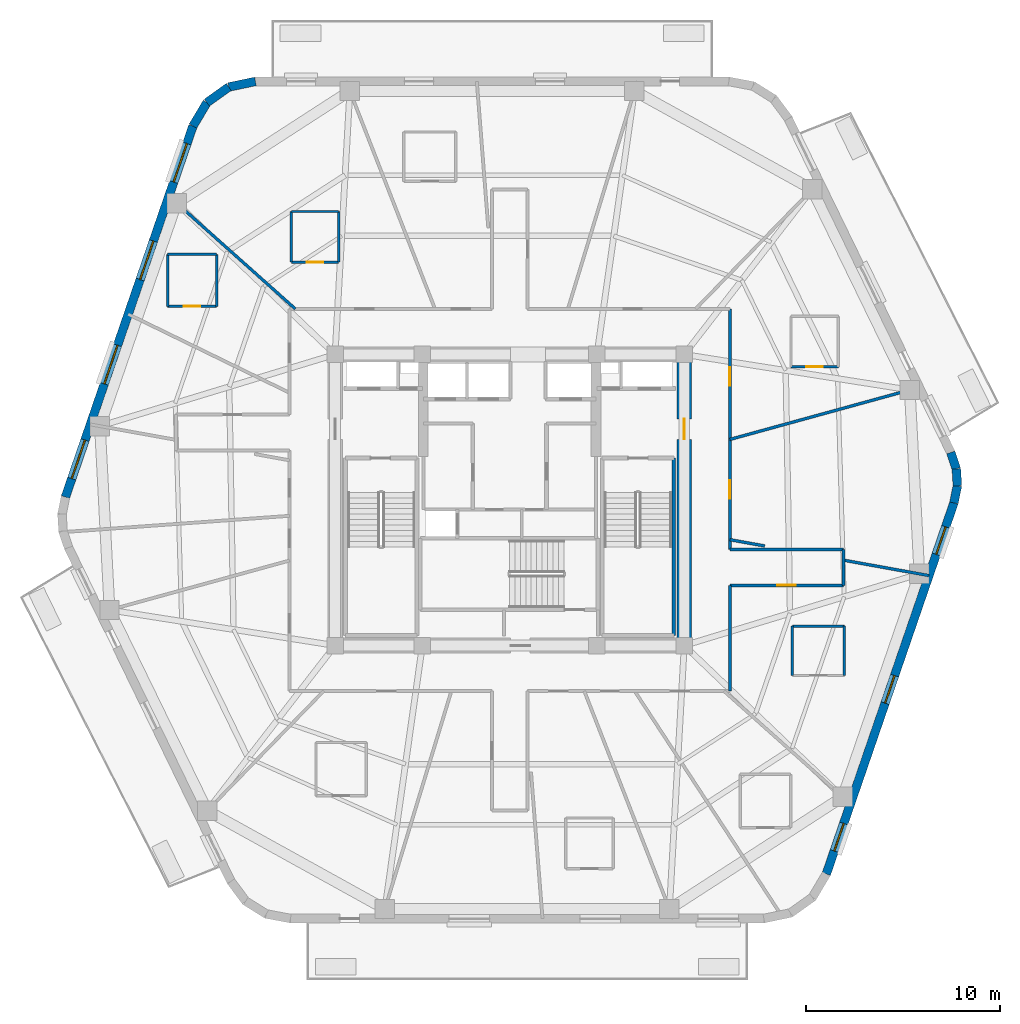
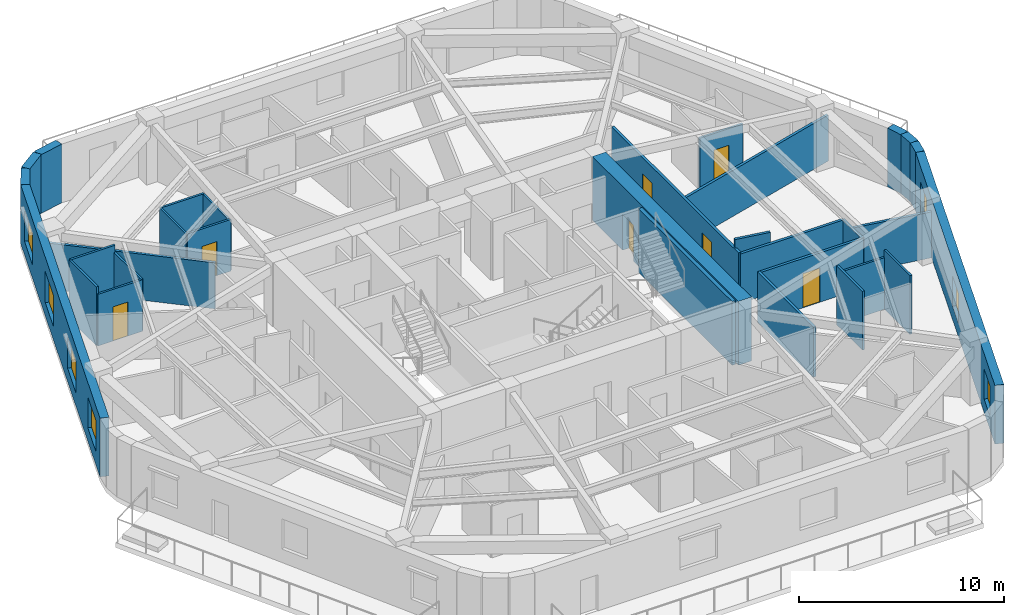
# One storey, part 5 of 10: 31 walls, 7 doors, 7 windows, 14 openings.
"""IFC4 building model written with IfcOpenShell, lengths in metres."""

from ifc_helpers import new_model, si_unit, direction, frame, frame_2d, origin, place, context, subcontext, project, spatial, rectangle, extrude, material, layer, layer_set, type_object, element, fill, save


model = new_model("IFC4")

# Units and contexts
model_context = context("Model", 3, precision=1e-05, world=origin(), true_north=direction((0.0, 1.0)))
body_context = subcontext(model_context, "Body", "Model", "MODEL_VIEW")
ifc_project = project(units=[si_unit("LENGTHUNIT", "METRE"), si_unit("AREAUNIT", "SQUARE_METRE"), si_unit("VOLUMEUNIT", "CUBIC_METRE"), si_unit("PLANEANGLEUNIT", "RADIAN"), si_unit("MASSUNIT", "GRAM", prefix="KILO")], contexts=[model_context])

# Site, building, storey
site_placement = place(None, origin())
site = spatial("IfcSite", under=ifc_project, at=site_placement, CompositionType="ELEMENT")
building_placement = place(site_placement, origin())
building = spatial("IfcBuilding", under=site, at=building_placement, Name="Kilnhurst Terrace Hotel", CompositionType="ELEMENT")
storey_placement = place(building_placement, frame((0.0, 0.0, 210.300048828125)))
storey = spatial("IfcBuildingStorey", under=building, at=storey_placement, Name="L52", CompositionType="ELEMENT", Elevation=210.300048828125)

# Walls
ifc_material_1 = material(Name="Precast concrete C40/50", Category="concrete")
ifc_layer_1 = layer(ifc_material_1, 0.449951171875, Name="Precast concrete C40/50")
ifc_layer_set_1 = layer_set([ifc_layer_1], Name="Precast concrete C40/50")
wall_type_1 = type_object("IfcWallType", Name="WL-BRK-450", PredefinedType="SOLIDWALL", material=ifc_layer_set_1)
wall_1_placement = place(storey_placement, frame((22.8984375, -0.149658203125, 0.0), z_axis=(0.0, 0.0, 1.0), x_axis=(0.199055826889, 0.979988151858, 0.0)))
element("IfcWall", 1, at=wall_1_placement, inside=storey, type_object=wall_type_1, Name="L52 Rounded Corner Brick Wall C3.1", PredefinedType="SOLIDWALL", context=body_context, shape_type="SweptSolid", body=[
    extrude(rectangle(XDim=0.89404296875, YDim=0.449951171875, at=frame_2d((0.447021484375, 0.0))), origin(), (0.0, 0.0, 1.0), 3.5),
])
wall_2_placement = place(storey_placement, frame((23.076416015625, 0.7265625, 0.0), z_axis=(0.0, 0.0, 1.0), x_axis=(-0.060805222108, 0.998149650586, 0.0)))
element("IfcWall", 2, at=wall_2_placement, inside=storey, type_object=wall_type_1, Name="L52 Rounded Corner Brick Wall C3.2", PredefinedType="SOLIDWALL", context=body_context, shape_type="SweptSolid", body=[
    extrude(rectangle(XDim=0.87939453125, YDim=0.449951171875, at=frame_2d((0.439697265625, 0.0))), origin(), (0.0, 0.0, 1.0), 3.5),
])
wall_3_placement = place(storey_placement, frame((23.02294921875, 1.604248046875, 0.0), z_axis=(0.0, 0.0, 1.0), x_axis=(-0.316801227695, 0.948491951537, 0.0)))
element("IfcWall", 3, at=wall_3_placement, inside=storey, type_object=wall_type_1, Name="L52 Rounded Corner Brick Wall C3.3", PredefinedType="SOLIDWALL", context=body_context, shape_type="SweptSolid", body=[
    extrude(rectangle(XDim=0.89404296875, YDim=0.449951171875, at=frame_2d((0.447021484375, 0.0))), origin(), (0.0, 0.0, 1.0), 3.5),
])
wall_4_placement = place(storey_placement, frame((-13.1015625, 21.574951171875, 0.0), z_axis=(0.0, 0.0, 1.0), x_axis=(-0.978757421505, -0.205021730188, 0.0)))
element("IfcWall", 4, at=wall_4_placement, inside=storey, type_object=wall_type_1, Name="L52 Rounded Corner Brick Wall C5.1", PredefinedType="SOLIDWALL", context=body_context, shape_type="SweptSolid", body=[
    extrude(rectangle(XDim=1.40625, YDim=0.449951171875, at=frame_2d((0.703125, 0.0))), origin(), (0.0, 0.0, 1.0), 3.5),
])
wall_5_placement = place(storey_placement, frame((-14.47802734375, 21.28662109375, 0.0), z_axis=(0.0, 0.0, 1.0), x_axis=(-0.813888518617, -0.58102106611, 0.0)))
element("IfcWall", 5, at=wall_5_placement, inside=storey, type_object=wall_type_1, Name="L52 Rounded Corner Brick Wall C5.2", PredefinedType="SOLIDWALL", context=body_context, shape_type="SweptSolid", body=[
    extrude(rectangle(XDim=1.3828125, YDim=0.449951171875, at=frame_2d((0.69140625, 0.0))), origin(), (0.0, 0.0, 1.0), 3.5),
])
wall_6_placement = place(storey_placement, frame((-15.603515625, 20.483154296875, 0.0), z_axis=(0.0, 0.0, 1.0), x_axis=(-0.512222149036, -0.858852996756, 0.0)))
element("IfcWall", 6, at=wall_6_placement, inside=storey, type_object=wall_type_1, Name="L52 Rounded Corner Brick Wall C5.3", PredefinedType="SOLIDWALL", context=body_context, shape_type="SweptSolid", body=[
    extrude(rectangle(XDim=1.406494140625, YDim=0.449951171875, at=frame_2d((0.703125, 0.0))), origin(), (0.0, 0.0, 1.0), 3.5),
])

# Wall, openings, windows
wall_7_placement = place(storey_placement, frame((16.323974609375, -19.275146484375, 0.0), z_axis=(0.0, 0.0, 1.0), x_axis=(0.325083142304, 0.945685439557, 0.0)))
wall_7 = element("IfcWall", 7, at=wall_7_placement, inside=storey, type_object=wall_type_1, Name="L52 Exterior Brick Facade Wall F2", PredefinedType="SOLIDWALL", context=body_context, shape_type="SweptSolid", body=[
    extrude(rectangle(XDim=20.223876953125, YDim=0.449951171875, at=frame_2d((10.11181640625, 0.0))), origin(), (0.0, 0.0, 1.0), 3.5),
])
opening_1_placement = place(wall_7_placement, frame((1.2529296875, 0.0, 0.800048828125)))
opening_1 = element("IfcOpeningElement", 8, at=opening_1_placement, cuts=wall_7, Name="Opening W-02", PredefinedType="OPENING", context=body_context, shape_type="SweptSolid", body=[
    extrude(rectangle(XDim=1.5, YDim=1.800048828125, at=frame_2d((0.75, 0.89990234375))), frame((0.0, 0.23486328125, 0.0), z_axis=(0.0, -1.0, 0.0), x_axis=(1.0, 0.0, 0.0)), (0.0, 0.0, 1.0), 0.469970703125),
])
opening_2_placement = place(wall_7_placement, frame((9.30908203125, 0.0, 0.800048828125)))
opening_2 = element("IfcOpeningElement", 9, at=opening_2_placement, cuts=wall_7, Name="Opening W-02", PredefinedType="OPENING", context=body_context, shape_type="SweptSolid", body=[
    extrude(rectangle(XDim=1.5, YDim=1.800048828125, at=frame_2d((0.75, 0.89990234375))), frame((0.0, 0.23486328125, 0.0), z_axis=(0.0, -1.0, 0.0), x_axis=(1.0, 0.0, 0.0)), (0.0, 0.0, 1.0), 0.469970703125),
])
opening_3_placement = place(wall_7_placement, frame((17.41796875, 0.0, 0.800048828125)))
opening_3 = element("IfcOpeningElement", 10, at=opening_3_placement, cuts=wall_7, Name="Opening W-02", PredefinedType="OPENING", context=body_context, shape_type="SweptSolid", body=[
    extrude(rectangle(XDim=1.5, YDim=1.800048828125, at=frame_2d((0.75, 0.89990234375))), frame((0.0, 0.23486328125, 0.0), z_axis=(0.0, -1.0, 0.0), x_axis=(1.0, 0.0, 0.0)), (0.0, 0.0, 1.0), 0.469970703125),
])
ifc_material_2 = material(Name="Thermally Broken Bronze Aluminium Alloy 6063-T6 and Low-E Glass", Category="aluminium")
window_type_1 = type_object("IfcWindowType", Name="WIN-1500X1800", PartitioningType="SINGLE_PANEL", PredefinedType="WINDOW", material=ifc_material_2)
window_1_placement = place(opening_1_placement, origin())
window_1 = element("IfcWindow", 11, at=window_1_placement, inside=storey, type_object=window_type_1, Name="L52 Deep-Set Masonry Window F2.1", OverallHeight=1.800048828125, OverallWidth=1.5, PartitioningType="SINGLE_PANEL", PredefinedType="WINDOW", context=body_context, shape_type="SweptSolid", body=[
    extrude(rectangle(XDim=1.5, YDim=1.800048828125, at=frame_2d((0.75, 0.89990234375))), frame((0.0, 0.030029296875, 0.0), z_axis=(0.0, -1.0, 0.0), x_axis=(1.0, 0.0, 0.0)), (0.0, 0.0, 1.0), 0.06005859375),
])
fill(opening_1, window_1)
window_2_placement = place(opening_2_placement, origin())
window_2 = element("IfcWindow", 12, at=window_2_placement, inside=storey, type_object=window_type_1, Name="L52 Deep-Set Masonry Window F2.2", OverallHeight=1.800048828125, OverallWidth=1.5, PartitioningType="SINGLE_PANEL", PredefinedType="WINDOW", context=body_context, shape_type="SweptSolid", body=[
    extrude(rectangle(XDim=1.5, YDim=1.800048828125, at=frame_2d((0.75, 0.89990234375))), frame((0.0, 0.030029296875, 0.0), z_axis=(0.0, -1.0, 0.0), x_axis=(1.0, 0.0, 0.0)), (0.0, 0.0, 1.0), 0.06005859375),
])
fill(opening_2, window_2)
window_3_placement = place(opening_3_placement, origin())
window_3 = element("IfcWindow", 13, at=window_3_placement, inside=storey, type_object=window_type_1, Name="L52 Deep-Set Masonry Window F2.3", OverallHeight=1.800048828125, OverallWidth=1.5, PartitioningType="SINGLE_PANEL", PredefinedType="WINDOW", context=body_context, shape_type="SweptSolid", body=[
    extrude(rectangle(XDim=1.5, YDim=1.800048828125, at=frame_2d((0.75, 0.89990234375))), frame((0.0, 0.030029296875, 0.0), z_axis=(0.0, -1.0, 0.0), x_axis=(1.0, 0.0, 0.0)), (0.0, 0.0, 1.0), 0.06005859375),
])
fill(opening_3, window_3)

wall_8_placement = place(storey_placement, frame((-16.323974609375, 19.275146484375, 0.0), z_axis=(0.0, 0.0, 1.0), x_axis=(-0.325083142304, -0.945685439557, 0.0)))
wall_8 = element("IfcWall", 14, at=wall_8_placement, inside=storey, type_object=wall_type_1, Name="L52 Exterior Brick Facade Wall F5", PredefinedType="SOLIDWALL", context=body_context, shape_type="SweptSolid", body=[
    extrude(rectangle(XDim=20.223876953125, YDim=0.449951171875, at=frame_2d((10.11181640625, 0.0))), origin(), (0.0, 0.0, 1.0), 3.5),
])
opening_4_placement = place(wall_8_placement, frame((0.952880859375, 0.0, 0.800048828125)))
opening_4 = element("IfcOpeningElement", 15, at=opening_4_placement, cuts=wall_8, Name="Opening W-04", PredefinedType="OPENING", context=body_context, shape_type="SweptSolid", body=[
    extrude(rectangle(XDim=2.10009765625, YDim=1.85009765625, at=frame_2d((1.050048828125, 0.925048828125))), frame((0.0, 0.23486328125, 0.0), z_axis=(0.0, -1.0, 0.0), x_axis=(1.0, 0.0, 0.0)), (0.0, 0.0, 1.0), 0.469970703125),
])
opening_5_placement = place(wall_8_placement, frame((6.26806640625, 0.0, 0.800048828125)))
opening_5 = element("IfcOpeningElement", 16, at=opening_5_placement, cuts=wall_8, Name="Opening W-04", PredefinedType="OPENING", context=body_context, shape_type="SweptSolid", body=[
    extrude(rectangle(XDim=2.10009765625, YDim=1.85009765625, at=frame_2d((1.050048828125, 0.925048828125))), frame((0.0, 0.23486328125, 0.0), z_axis=(0.0, -1.0, 0.0), x_axis=(1.0, 0.0, 0.0)), (0.0, 0.0, 1.0), 0.469970703125),
])
opening_6_placement = place(wall_8_placement, frame((11.949951171875, 0.0, 0.800048828125)))
opening_6 = element("IfcOpeningElement", 17, at=opening_6_placement, cuts=wall_8, Name="Opening W-04", PredefinedType="OPENING", context=body_context, shape_type="SweptSolid", body=[
    extrude(rectangle(XDim=2.10009765625, YDim=1.85009765625, at=frame_2d((1.050048828125, 0.925048828125))), frame((0.0, 0.23486328125, 0.0), z_axis=(0.0, -1.0, 0.0), x_axis=(1.0, 0.0, 0.0)), (0.0, 0.0, 1.0), 0.469970703125),
])
opening_7_placement = place(wall_8_placement, frame((17.117919921875, 0.0, 0.800048828125)))
opening_7 = element("IfcOpeningElement", 18, at=opening_7_placement, cuts=wall_8, Name="Opening W-04", PredefinedType="OPENING", context=body_context, shape_type="SweptSolid", body=[
    extrude(rectangle(XDim=2.10009765625, YDim=1.85009765625, at=frame_2d((1.050048828125, 0.925048828125))), frame((0.0, 0.23486328125, 0.0), z_axis=(0.0, -1.0, 0.0), x_axis=(1.0, 0.0, 0.0)), (0.0, 0.0, 1.0), 0.469970703125),
])
window_type_2 = type_object("IfcWindowType", Name="WIN-2100X1850", PartitioningType="SINGLE_PANEL", PredefinedType="WINDOW", material=ifc_material_2)
window_4_placement = place(opening_4_placement, origin())
window_4 = element("IfcWindow", 19, at=window_4_placement, inside=storey, type_object=window_type_2, Name="L52 Deep-Set Masonry Window F5.1", OverallHeight=1.85009765625, OverallWidth=2.10009765625, PartitioningType="SINGLE_PANEL", PredefinedType="WINDOW", context=body_context, shape_type="SweptSolid", body=[
    extrude(rectangle(XDim=2.10009765625, YDim=1.85009765625, at=frame_2d((1.050048828125, 0.925048828125))), frame((0.0, 0.030029296875, 0.0), z_axis=(0.0, -1.0, 0.0), x_axis=(1.0, 0.0, 0.0)), (0.0, 0.0, 1.0), 0.06005859375),
])
fill(opening_4, window_4)
window_5_placement = place(opening_5_placement, origin())
window_5 = element("IfcWindow", 20, at=window_5_placement, inside=storey, type_object=window_type_2, Name="L52 Deep-Set Masonry Window F5.2", OverallHeight=1.85009765625, OverallWidth=2.10009765625, PartitioningType="SINGLE_PANEL", PredefinedType="WINDOW", context=body_context, shape_type="SweptSolid", body=[
    extrude(rectangle(XDim=2.10009765625, YDim=1.85009765625, at=frame_2d((1.050048828125, 0.925048828125))), frame((0.0, 0.030029296875, 0.0), z_axis=(0.0, -1.0, 0.0), x_axis=(1.0, 0.0, 0.0)), (0.0, 0.0, 1.0), 0.06005859375),
])
fill(opening_5, window_5)
window_6_placement = place(opening_6_placement, origin())
window_6 = element("IfcWindow", 21, at=window_6_placement, inside=storey, type_object=window_type_2, Name="L52 Deep-Set Masonry Window F5.3", OverallHeight=1.85009765625, OverallWidth=2.10009765625, PartitioningType="SINGLE_PANEL", PredefinedType="WINDOW", context=body_context, shape_type="SweptSolid", body=[
    extrude(rectangle(XDim=2.10009765625, YDim=1.85009765625, at=frame_2d((1.050048828125, 0.925048828125))), frame((0.0, 0.030029296875, 0.0), z_axis=(0.0, -1.0, 0.0), x_axis=(1.0, 0.0, 0.0)), (0.0, 0.0, 1.0), 0.06005859375),
])
fill(opening_6, window_6)
window_7_placement = place(opening_7_placement, origin())
window_7 = element("IfcWindow", 22, at=window_7_placement, inside=storey, type_object=window_type_2, Name="L52 Deep-Set Masonry Window F5.4", OverallHeight=1.85009765625, OverallWidth=2.10009765625, PartitioningType="SINGLE_PANEL", PredefinedType="WINDOW", context=body_context, shape_type="SweptSolid", body=[
    extrude(rectangle(XDim=2.10009765625, YDim=1.85009765625, at=frame_2d((1.050048828125, 0.925048828125))), frame((0.0, 0.030029296875, 0.0), z_axis=(0.0, -1.0, 0.0), x_axis=(1.0, 0.0, 0.0)), (0.0, 0.0, 1.0), 0.06005859375),
])
fill(opening_7, window_7)

# Wall, openings, doors
ifc_material_3 = material(Name="Acoustic Double-Gypsum Corridor Partition Assembly")
ifc_layer_2 = layer(ifc_material_3, 0.14990234375, Name="Acoustic Double-Gypsum Corridor Partition Assembly")
ifc_layer_set_2 = layer_set([ifc_layer_2], Name="Acoustic Double-Gypsum Corridor Partition Assembly")
wall_type_2 = type_object("IfcWallType", Name="WL-COR-150", PredefinedType="PARTITIONING", material=ifc_layer_set_2)
wall_9_placement = place(storey_placement, frame((11.35009765625, 9.85009765625, 0.0), z_axis=(0.0, 0.0, 1.0), x_axis=(0.0, -1.0, 0.0)))
wall_9 = element("IfcWall", 23, at=wall_9_placement, inside=storey, type_object=wall_type_2, Name="L52 Interior Wall WL-L52-COR-11", PredefinedType="PARTITIONING", context=body_context, shape_type="SweptSolid", body=[
    extrude(rectangle(XDim=12.400146484375, YDim=0.14990234375, at=frame_2d((6.2001953125, 0.0))), origin(), (0.0, 0.0, 1.0), 2.989990234375),
])
opening_8_placement = place(wall_9_placement, frame((3.010009765625, 0.0, 0.0)))
opening_8 = element("IfcOpeningElement", 24, at=opening_8_placement, cuts=wall_9, Name="Opening D-60B", PredefinedType="OPENING", context=body_context, shape_type="SweptSolid", body=[
    extrude(rectangle(XDim=0.949951171875, YDim=2.030029296875, at=frame_2d((0.47509765625, 1.01513671875))), frame((0.0, 0.0849609375, 0.0), z_axis=(0.0, -1.0, 0.0), x_axis=(1.0, 0.0, 0.0)), (0.0, 0.0, 1.0), 0.169921875),
])
opening_9_placement = place(wall_9_placement, frame((8.8349609375, 0.0, 0.0)))
opening_9 = element("IfcOpeningElement", 25, at=opening_9_placement, cuts=wall_9, Name="Opening D-60B", PredefinedType="OPENING", context=body_context, shape_type="SweptSolid", body=[
    extrude(rectangle(XDim=0.949951171875, YDim=2.030029296875, at=frame_2d((0.47509765625, 1.01513671875))), frame((0.0, 0.0849609375, 0.0), z_axis=(0.0, -1.0, 0.0), x_axis=(1.0, 0.0, 0.0)), (0.0, 0.0, 1.0), 0.169921875),
])
ifc_material_4 = material(Name="Acoustic Walnut Veneer Solid-Core Fire Door")
door_type_1 = type_object("IfcDoorType", Name="DR-FD60-950", OperationType="NOTDEFINED", PredefinedType="DOOR", material=ifc_material_4)
door_1_placement = place(opening_8_placement, origin())
door_1 = element("IfcDoor", 26, at=door_1_placement, inside=storey, type_object=door_type_1, Name="L52 Executive Suite Entry Door 1", OperationType="SINGLE_SWING_LEFT", OverallHeight=2.030029296875, OverallWidth=0.949951171875, PredefinedType="DOOR", context=body_context, shape_type="SweptSolid", body=[
    extrude(rectangle(XDim=0.949951171875, YDim=2.030029296875, at=frame_2d((0.47509765625, 1.01513671875))), frame((0.0, 0.02490234375, 0.0), z_axis=(0.0, -1.0, 0.0), x_axis=(1.0, 0.0, 0.0)), (0.0, 0.0, 1.0), 0.050048828125),
])
fill(opening_8, door_1)
door_2_placement = place(opening_9_placement, origin())
door_2 = element("IfcDoor", 27, at=door_2_placement, inside=storey, type_object=door_type_1, Name="L52 Executive Office Door", OperationType="SINGLE_SWING_LEFT", OverallHeight=2.030029296875, OverallWidth=0.949951171875, PredefinedType="DOOR", context=body_context, shape_type="SweptSolid", body=[
    extrude(rectangle(XDim=0.949951171875, YDim=2.030029296875, at=frame_2d((0.47509765625, 1.01513671875))), frame((0.0, 0.02490234375, 0.0), z_axis=(0.0, -1.0, 0.0), x_axis=(1.0, 0.0, 0.0)), (0.0, 0.0, 1.0), 0.050048828125),
])
fill(opening_9, door_2)

# Walls
wall_10_placement = place(storey_placement, frame((11.35009765625, -2.550048828125, 0.0), z_axis=(0.0, 0.0, 1.0), x_axis=(1.0, 0.0, 0.0)))
element("IfcWall", 28, at=wall_10_placement, inside=storey, type_object=wall_type_2, Name="L52 Interior Wall WL-L52-COR-12", PredefinedType="PARTITIONING", context=body_context, shape_type="SweptSolid", body=[
    extrude(rectangle(XDim=5.849853515625, YDim=0.14990234375, at=frame_2d((2.9248046875, 0.0))), origin(), (0.0, 0.0, 1.0), 2.9404296875),
])
wall_11_placement = place(storey_placement, frame((17.199951171875, -2.550048828125, 0.0), z_axis=(0.0, 0.0, 1.0), x_axis=(0.0, -1.0, 0.0)))
element("IfcWall", 29, at=wall_11_placement, inside=storey, type_object=wall_type_2, Name="L52 Interior Wall WL-L52-COR-13", PredefinedType="PARTITIONING", context=body_context, shape_type="SweptSolid", body=[
    extrude(rectangle(XDim=1.849853515625, YDim=0.14990234375, at=frame_2d((0.9248046875, 0.0))), origin(), (0.0, 0.0, 1.0), 2.9404296875),
])

# Wall, opening, door
wall_12_placement = place(storey_placement, frame((17.199951171875, -4.39990234375, 0.0), z_axis=(0.0, 0.0, 1.0), x_axis=(-1.0, 0.0, 0.0)))
wall_12 = element("IfcWall", 30, at=wall_12_placement, inside=storey, type_object=wall_type_2, Name="L52 Interior Wall WL-L52-COR-14", PredefinedType="PARTITIONING", context=body_context, shape_type="SweptSolid", body=[
    extrude(rectangle(XDim=5.849853515625, YDim=0.14990234375, at=frame_2d((2.9248046875, 0.0))), origin(), (0.0, 0.0, 1.0), 2.9404296875),
])
opening_10_placement = place(wall_12_placement, frame((2.449951171875, 0.0, 0.0)))
opening_10 = element("IfcOpeningElement", 31, at=opening_10_placement, cuts=wall_12, Name="Opening D-60B", PredefinedType="OPENING", context=body_context, shape_type="SweptSolid", body=[
    extrude(rectangle(XDim=0.949951171875, YDim=2.030029296875, at=frame_2d((0.47509765625, 1.01513671875))), frame((0.0, 0.0849609375, 0.0), z_axis=(0.0, -1.0, 0.0), x_axis=(1.0, 0.0, 0.0)), (0.0, 0.0, 1.0), 0.169921875),
])
door_3_placement = place(opening_10_placement, origin())
door_3 = element("IfcDoor", 32, at=door_3_placement, inside=storey, type_object=door_type_1, Name="L52 Executive Suite Entry Door 16", OperationType="SINGLE_SWING_RIGHT", OverallHeight=2.030029296875, OverallWidth=0.949951171875, PredefinedType="DOOR", context=body_context, shape_type="SweptSolid", body=[
    extrude(rectangle(XDim=0.949951171875, YDim=2.030029296875, at=frame_2d((0.47509765625, 1.01513671875))), frame((0.0, 0.02490234375, 0.0), z_axis=(0.0, -1.0, 0.0), x_axis=(1.0, 0.0, 0.0)), (0.0, 0.0, 1.0), 0.050048828125),
])
fill(opening_10, door_3)

# Wall
wall_13_placement = place(storey_placement, frame((11.35009765625, -4.39990234375, 0.0), z_axis=(0.0, 0.0, 1.0), x_axis=(0.0, -1.0, 0.0)))
element("IfcWall", 33, at=wall_13_placement, inside=storey, type_object=wall_type_2, Name="L52 Interior Wall WL-L52-COR-15", PredefinedType="PARTITIONING", context=body_context, shape_type="SweptSolid", body=[
    extrude(rectangle(XDim=5.4501953125, YDim=0.14990234375, at=frame_2d((2.72509765625, 0.0))), origin(), (0.0, 0.0, 1.0), 2.989990234375),
])

# Wall, opening, door
ifc_material_5 = material(Name="Concrete C60/75", Category="concrete")
ifc_layer_3 = layer(ifc_material_5, 0.75, Name="Concrete C60/75")
ifc_layer_set_3 = layer_set([ifc_layer_3], Name="Concrete C60/75")
wall_type_3 = type_object("IfcWallType", Name="WL-CORE-750", PredefinedType="SHEAR", material=ifc_layer_set_3)
wall_14_placement = place(storey_placement, frame((9.0, -7.125, 0.0), z_axis=(0.0, 0.0, 1.0), x_axis=(0.0, 1.0, 0.0)))
wall_14 = element("IfcWall", 34, at=wall_14_placement, inside=storey, type_object=wall_type_3, Name="L52 Core East Shear Wall", PredefinedType="SHEAR", context=body_context, shape_type="SweptSolid", body=[
    extrude(rectangle(XDim=14.25, YDim=0.75, at=frame_2d((7.125, 0.0))), origin(), (0.0, 0.0, 1.0), 3.800048828125),
])
opening_11_placement = place(wall_14_placement, frame((10.25, 0.0, 0.0)))
opening_11 = element("IfcOpeningElement", 35, at=opening_11_placement, cuts=wall_14, Name="Opening D-90A", PredefinedType="OPENING", context=body_context, shape_type="SweptSolid", body=[
    extrude(rectangle(XDim=1.050048828125, YDim=2.14990234375, at=frame_2d((0.52490234375, 1.074951171875))), frame((0.0, 0.385009765625, 0.0), z_axis=(0.0, -1.0, 0.0), x_axis=(1.0, 0.0, 0.0)), (0.0, 0.0, 1.0), 0.77001953125),
])
ifc_material_6 = material(Name="Painted Hollow Metal Steel ASTM A36 Fire Door", Category="steel")
door_type_2 = type_object("IfcDoorType", Name="DR-FD90-1050", OperationType="NOTDEFINED", PredefinedType="DOOR", material=ifc_material_6)
door_4_placement = place(opening_11_placement, origin())
door_4 = element("IfcDoor", 36, at=door_4_placement, inside=storey, type_object=door_type_2, Name="L52 East Firefighting Lobby Door", OperationType="SINGLE_SWING_LEFT", OverallHeight=2.14990234375, OverallWidth=1.050048828125, PredefinedType="DOOR", context=body_context, shape_type="SweptSolid", body=[
    extrude(rectangle(XDim=1.050048828125, YDim=2.14990234375, at=frame_2d((0.52490234375, 1.074951171875))), frame((0.0, 0.02490234375, 0.0), z_axis=(0.0, -1.0, 0.0), x_axis=(1.0, 0.0, 0.0)), (0.0, 0.0, 1.0), 0.050048828125),
])
fill(opening_11, door_4)

# Walls
ifc_material_7 = material(Name="STC-58 Acoustic Twin-Frame Guestroom Demising Partition")
ifc_layer_4 = layer(ifc_material_7, 0.14990234375, Name="STC-58 Acoustic Twin-Frame Guestroom Demising Partition")
ifc_layer_set_4 = layer_set([ifc_layer_4], Name="STC-58 Acoustic Twin-Frame Guestroom Demising Partition")
wall_type_4 = type_object("IfcWallType", Name="WL-DEM-150", PredefinedType="PARTITIONING", material=ifc_layer_set_4)
wall_15_placement = place(storey_placement, frame((11.35009765625, 3.12060546875, 0.0), z_axis=(0.0, 0.0, 1.0), x_axis=(0.964212793822, 0.265129568758, 0.0)))
element("IfcWall", 37, at=wall_15_placement, inside=storey, type_object=wall_type_4, Name="L52 Interior Wall WL-L52-DEM-COL01-01-1", PredefinedType="PARTITIONING", context=body_context, shape_type="SweptSolid", body=[
    extrude(rectangle(XDim=10.119873046875, YDim=0.14990234375, at=frame_2d((5.06005859375, 0.0))), origin(), (0.0, 0.0, 1.0), 2.739990234375),
])
wall_16_placement = place(storey_placement, frame((-11.04833984375, 9.85009765625, 0.0), z_axis=(0.0, 0.0, 1.0), x_axis=(-0.746444434655, 0.665447748492, 0.0)))
element("IfcWall", 38, at=wall_16_placement, inside=storey, type_object=wall_type_4, Name="L52 Interior Wall WL-L52-DEM-COL05-06-1", PredefinedType="PARTITIONING", context=body_context, shape_type="SweptSolid", body=[
    extrude(rectangle(XDim=8.732177734375, YDim=0.14990234375, at=frame_2d((4.3662109375, 0.0))), origin(), (0.0, 0.0, 1.0), 2.739990234375),
])
wall_17_placement = place(storey_placement, frame((11.35009765625, -2.046142578125, 0.0), z_axis=(0.0, 0.0, 1.0), x_axis=(0.984127783205, -0.177461281195, 0.0)))
element("IfcWall", 39, at=wall_17_placement, inside=storey, type_object=wall_type_4, Name="L52 Interior Wall WL-L52-DEM-COL12-17-1", PredefinedType="PARTITIONING", context=body_context, shape_type="SweptSolid", body=[
    extrude(rectangle(XDim=1.82568359375, YDim=0.14990234375, at=frame_2d((0.912841796875, 0.0))), origin(), (0.0, 0.0, 1.0), 3.5),
])
wall_18_placement = place(storey_placement, frame((17.199951171875, -3.1005859375, 0.0), z_axis=(0.0, 0.0, 1.0), x_axis=(0.98413465883, -0.177423147559, 0.0)))
element("IfcWall", 40, at=wall_18_placement, inside=storey, type_object=wall_type_4, Name="L52 Interior Wall WL-L52-DEM-COL12-17-2", PredefinedType="PARTITIONING", context=body_context, shape_type="SweptSolid", body=[
    extrude(rectangle(XDim=4.481689453125, YDim=0.14990234375, at=frame_2d((2.24072265625, 0.0))), origin(), (0.0, 0.0, 1.0), 2.739990234375),
])

# Wall, opening, door
ifc_material_8 = material(Name="120 mm Moisture-Resistant Tile-Backed Bathroom Partition")
ifc_layer_5 = layer(ifc_material_8, 0.1201171875, Name="120 mm Moisture-Resistant Tile-Backed Bathroom Partition")
ifc_layer_set_5 = layer_set([ifc_layer_5], Name="120 mm Moisture-Resistant Tile-Backed Bathroom Partition")
wall_type_5 = type_object("IfcWallType", Name="WL-PART-120", PredefinedType="PARTITIONING", material=ifc_layer_set_5)
wall_19_placement = place(storey_placement, frame((14.5, 6.860107421875, 0.0), z_axis=(0.0, 0.0, 1.0), x_axis=(1.0, 0.0, 0.0)))
wall_19 = element("IfcWall", 41, at=wall_19_placement, inside=storey, type_object=wall_type_5, Name="L52 Interior Wall WL-L52-BTH-01-1", PredefinedType="PARTITIONING", context=body_context, shape_type="SweptSolid", body=[
    extrude(rectangle(XDim=2.43994140625, YDim=0.1201171875, at=frame_2d((1.219970703125, 0.0))), origin(), (0.0, 0.0, 1.0), 3.0263671875),
])
opening_12_placement = place(wall_19_placement, frame((0.794921875, 0.0, 0.0)))
opening_12 = element("IfcOpeningElement", 42, at=opening_12_placement, cuts=wall_19, Name="Opening D-08A", PredefinedType="OPENING", context=body_context, shape_type="SweptSolid", body=[
    extrude(rectangle(XDim=0.85009765625, YDim=2.030029296875, at=frame_2d((0.425048828125, 1.01513671875))), frame((0.0, 0.070068359375, 0.0), z_axis=(0.0, -1.0, 0.0), x_axis=(1.0, 0.0, 0.0)), (0.0, 0.0, 1.0), 0.14013671875),
])
ifc_material_9 = material(Name="Moisture-Resistant Lacquered En-suite Bathroom Door")
door_type_3 = type_object("IfcDoorType", Name="DR-INT-850", OperationType="NOTDEFINED", PredefinedType="DOOR", material=ifc_material_9)
door_5_placement = place(opening_12_placement, origin())
door_5 = element("IfcDoor", 43, at=door_5_placement, inside=storey, type_object=door_type_3, Name="L52 En-suite Bathroom Door 1", OperationType="SINGLE_SWING_RIGHT", OverallHeight=2.030029296875, OverallWidth=0.85009765625, PredefinedType="DOOR", context=body_context, shape_type="SweptSolid", body=[
    extrude(rectangle(XDim=0.85009765625, YDim=2.030029296875, at=frame_2d((0.425048828125, 1.01513671875))), frame((0.0, 0.02490234375, 0.0), z_axis=(0.0, -1.0, 0.0), x_axis=(1.0, 0.0, 0.0)), (0.0, 0.0, 1.0), 0.050048828125),
])
fill(opening_12, door_5)

wall_20_placement = place(storey_placement, frame((-11.251953125, 12.260009765625, 0.0), z_axis=(0.0, 0.0, 1.0), x_axis=(1.0, 0.0, 0.0)))
wall_20 = element("IfcWall", 44, at=wall_20_placement, inside=storey, type_object=wall_type_5, Name="L52 Interior Wall WL-L52-BTH-05-1", PredefinedType="PARTITIONING", context=body_context, shape_type="SweptSolid", body=[
    extrude(rectangle(XDim=2.43994140625, YDim=0.1201171875, at=frame_2d((1.219970703125, 0.0))), origin(), (0.0, 0.0, 1.0), 3.072265625),
])
opening_13_placement = place(wall_20_placement, frame((0.794921875, 0.0, 0.0)))
opening_13 = element("IfcOpeningElement", 45, at=opening_13_placement, cuts=wall_20, Name="Opening D-08A", PredefinedType="OPENING", context=body_context, shape_type="SweptSolid", body=[
    extrude(rectangle(XDim=0.85009765625, YDim=2.030029296875, at=frame_2d((0.425048828125, 1.01513671875))), frame((0.0, 0.070068359375, 0.0), z_axis=(0.0, -1.0, 0.0), x_axis=(1.0, 0.0, 0.0)), (0.0, 0.0, 1.0), 0.14013671875),
])
door_6_placement = place(opening_13_placement, origin())
door_6 = element("IfcDoor", 46, at=door_6_placement, inside=storey, type_object=door_type_3, Name="L52 En-suite Bathroom Door 5", OperationType="SINGLE_SWING_RIGHT", OverallHeight=2.030029296875, OverallWidth=0.85009765625, PredefinedType="DOOR", context=body_context, shape_type="SweptSolid", body=[
    extrude(rectangle(XDim=0.85009765625, YDim=2.030029296875, at=frame_2d((0.425048828125, 1.01513671875))), frame((0.0, 0.02490234375, 0.0), z_axis=(0.0, -1.0, 0.0), x_axis=(1.0, 0.0, 0.0)), (0.0, 0.0, 1.0), 0.050048828125),
])
fill(opening_13, door_6)

# Walls
wall_21_placement = place(storey_placement, frame((-8.81201171875, 12.260009765625, 0.0), z_axis=(0.0, 0.0, 1.0), x_axis=(0.0, 1.0, 0.0)))
element("IfcWall", 47, at=wall_21_placement, inside=storey, type_object=wall_type_5, Name="L52 Interior Wall WL-L52-BTH-05-2", PredefinedType="PARTITIONING", context=body_context, shape_type="SweptSolid", body=[
    extrude(rectangle(XDim=2.610107421875, YDim=0.1201171875, at=frame_2d((1.30517578125, 0.0))), origin(), (0.0, 0.0, 1.0), 2.989990234375),
])
wall_22_placement = place(storey_placement, frame((-8.81201171875, 14.8701171875, 0.0), z_axis=(0.0, 0.0, 1.0), x_axis=(-1.0, 0.0, 0.0)))
element("IfcWall", 48, at=wall_22_placement, inside=storey, type_object=wall_type_5, Name="L52 Interior Wall WL-L52-BTH-05-3", PredefinedType="PARTITIONING", context=body_context, shape_type="SweptSolid", body=[
    extrude(rectangle(XDim=2.43994140625, YDim=0.1201171875, at=frame_2d((1.219970703125, 0.0))), origin(), (0.0, 0.0, 1.0), 3.0263671875),
])
wall_23_placement = place(storey_placement, frame((-11.251953125, 14.8701171875, 0.0), z_axis=(0.0, 0.0, 1.0), x_axis=(0.0, -1.0, 0.0)))
element("IfcWall", 49, at=wall_23_placement, inside=storey, type_object=wall_type_5, Name="L52 Interior Wall WL-L52-BTH-05-4", PredefinedType="PARTITIONING", context=body_context, shape_type="SweptSolid", body=[
    extrude(rectangle(XDim=2.610107421875, YDim=0.1201171875, at=frame_2d((1.30517578125, 0.0))), origin(), (0.0, 0.0, 1.0), 3.0263671875),
])

# Wall, opening, door
wall_24_placement = place(storey_placement, frame((-17.6240234375, 9.97900390625, 0.0), z_axis=(0.0, 0.0, 1.0), x_axis=(1.0, 0.0, 0.0)))
wall_24 = element("IfcWall", 50, at=wall_24_placement, inside=storey, type_object=wall_type_5, Name="L52 Interior Wall WL-L52-BTH-06-1", PredefinedType="PARTITIONING", context=body_context, shape_type="SweptSolid", body=[
    extrude(rectangle(XDim=2.52001953125, YDim=0.1201171875, at=frame_2d((1.260009765625, 0.0))), origin(), (0.0, 0.0, 1.0), 3.072265625),
])
opening_14_placement = place(wall_24_placement, frame((0.8349609375, 0.0, 0.0)))
opening_14 = element("IfcOpeningElement", 51, at=opening_14_placement, cuts=wall_24, Name="Opening D-08A", PredefinedType="OPENING", context=body_context, shape_type="SweptSolid", body=[
    extrude(rectangle(XDim=0.85009765625, YDim=2.030029296875, at=frame_2d((0.425048828125, 1.01513671875))), frame((0.0, 0.070068359375, 0.0), z_axis=(0.0, -1.0, 0.0), x_axis=(1.0, 0.0, 0.0)), (0.0, 0.0, 1.0), 0.14013671875),
])
door_7_placement = place(opening_14_placement, origin())
door_7 = element("IfcDoor", 52, at=door_7_placement, inside=storey, type_object=door_type_3, Name="L52 En-suite Bathroom Door 6", OperationType="SINGLE_SWING_LEFT", OverallHeight=2.030029296875, OverallWidth=0.85009765625, PredefinedType="DOOR", context=body_context, shape_type="SweptSolid", body=[
    extrude(rectangle(XDim=0.85009765625, YDim=2.030029296875, at=frame_2d((0.425048828125, 1.01513671875))), frame((0.0, 0.02490234375, 0.0), z_axis=(0.0, -1.0, 0.0), x_axis=(1.0, 0.0, 0.0)), (0.0, 0.0, 1.0), 0.050048828125),
])
fill(opening_14, door_7)

# Walls
wall_25_placement = place(storey_placement, frame((-15.10400390625, 9.97900390625, 0.0), z_axis=(0.0, 0.0, 1.0), x_axis=(0.0, 1.0, 0.0)))
element("IfcWall", 53, at=wall_25_placement, inside=storey, type_object=wall_type_5, Name="L52 Interior Wall WL-L52-BTH-06-2", PredefinedType="PARTITIONING", context=body_context, shape_type="SweptSolid", body=[
    extrude(rectangle(XDim=2.679931640625, YDim=0.1201171875, at=frame_2d((1.33984375, 0.0))), origin(), (0.0, 0.0, 1.0), 3.072265625),
])
wall_26_placement = place(storey_placement, frame((-15.10400390625, 12.658935546875, 0.0), z_axis=(0.0, 0.0, 1.0), x_axis=(-1.0, 0.0, 0.0)))
element("IfcWall", 54, at=wall_26_placement, inside=storey, type_object=wall_type_5, Name="L52 Interior Wall WL-L52-BTH-06-3", PredefinedType="PARTITIONING", context=body_context, shape_type="SweptSolid", body=[
    extrude(rectangle(XDim=2.52001953125, YDim=0.1201171875, at=frame_2d((1.260009765625, 0.0))), origin(), (0.0, 0.0, 1.0), 3.5),
])
wall_27_placement = place(storey_placement, frame((-17.6240234375, 12.658935546875, 0.0), z_axis=(0.0, 0.0, 1.0), x_axis=(0.0, -1.0, 0.0)))
element("IfcWall", 55, at=wall_27_placement, inside=storey, type_object=wall_type_5, Name="L52 Interior Wall WL-L52-BTH-06-4", PredefinedType="PARTITIONING", context=body_context, shape_type="SweptSolid", body=[
    extrude(rectangle(XDim=2.679931640625, YDim=0.1201171875, at=frame_2d((1.33984375, 0.0))), origin(), (0.0, 0.0, 1.0), 3.5),
])
wall_28_placement = place(storey_placement, frame((17.248046875, -9.044921875, 0.0), z_axis=(0.0, 0.0, 1.0), x_axis=(0.0, 1.0, 0.0)))
element("IfcWall", 56, at=wall_28_placement, inside=storey, type_object=wall_type_5, Name="L52 Interior Wall WL-L52-BTH-16-2", PredefinedType="PARTITIONING", context=body_context, shape_type="SweptSolid", body=[
    extrude(rectangle(XDim=2.5400390625, YDim=0.1201171875, at=frame_2d((1.27001953125, 0.0))), origin(), (0.0, 0.0, 1.0), 3.5),
])
wall_29_placement = place(storey_placement, frame((17.248046875, -6.5048828125, 0.0), z_axis=(0.0, 0.0, 1.0), x_axis=(-1.0, 0.0, 0.0)))
element("IfcWall", 57, at=wall_29_placement, inside=storey, type_object=wall_type_5, Name="L52 Interior Wall WL-L52-BTH-16-3", PredefinedType="PARTITIONING", context=body_context, shape_type="SweptSolid", body=[
    extrude(rectangle(XDim=2.679931640625, YDim=0.1201171875, at=frame_2d((1.33984375, 0.0))), origin(), (0.0, 0.0, 1.0), 3.072265625),
])
wall_30_placement = place(storey_placement, frame((14.568115234375, -6.5048828125, 0.0), z_axis=(0.0, 0.0, 1.0), x_axis=(0.0, -1.0, 0.0)))
element("IfcWall", 58, at=wall_30_placement, inside=storey, type_object=wall_type_5, Name="L52 Interior Wall WL-L52-BTH-16-4", PredefinedType="PARTITIONING", context=body_context, shape_type="SweptSolid", body=[
    extrude(rectangle(XDim=2.5400390625, YDim=0.1201171875, at=frame_2d((1.27001953125, 0.0))), origin(), (0.0, 0.0, 1.0), 3.5),
])
ifc_material_10 = material(Name="Concrete C50/60", Category="concrete")
ifc_layer_6 = layer(ifc_material_10, 0.199951171875, Name="Concrete C50/60")
ifc_layer_set_6 = layer_set([ifc_layer_6], Name="Concrete C50/60")
wall_type_6 = type_object("IfcWallType", Name="WL-STAIR-RC-200", PredefinedType="SHEAR", material=ifc_layer_set_6)
wall_31_placement = place(storey_placement, frame((8.4580078125, -6.985107421875, 0.0), z_axis=(0.0, 0.0, 1.0), x_axis=(0.0, 1.0, 0.0)))
element("IfcWall", 59, at=wall_31_placement, inside=storey, type_object=wall_type_6, Name="L52 Structural Stair Shaft Wall WL-L52-ST2-E", PredefinedType="SHEAR", context=body_context, shape_type="SweptSolid", body=[
    extrude(rectangle(XDim=9.14306640625, YDim=0.199951171875, at=frame_2d((4.571533203125, 0.0))), origin(), (0.0, 0.0, 1.0), 3.800048828125),
])

save(model, "model.ifc")
